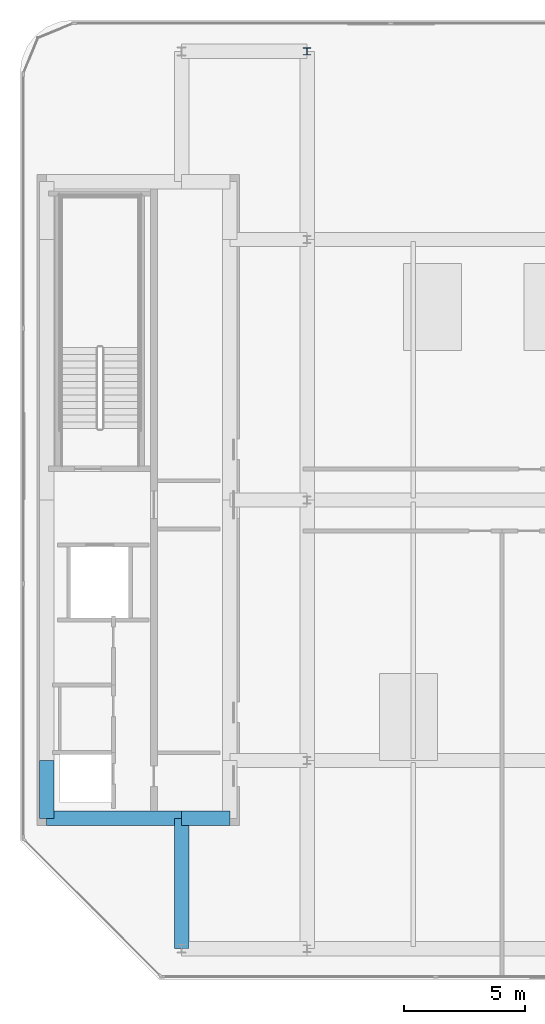
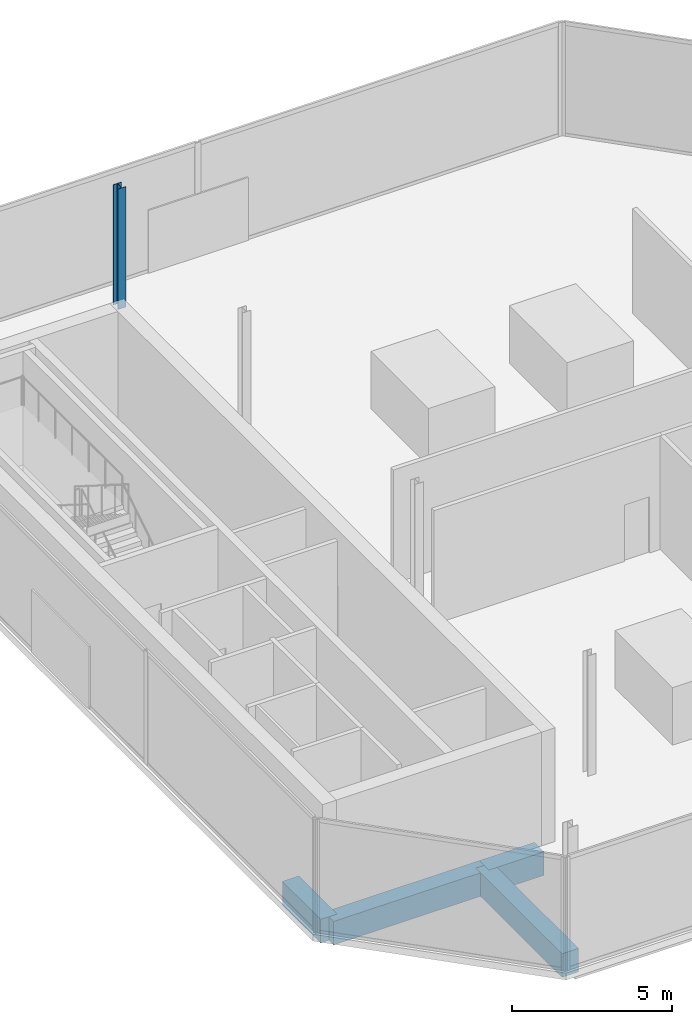
# One storey, part 3 of 15: 4 beams, 1 column.
"""IFC4 building model written with IfcOpenShell, lengths in metres."""

from ifc_helpers import new_model, si_unit, direction, frame, origin, origin_2d, place, context, subcontext, project, spatial, rectangle, i_section, extrude, material, material_profile, profile_set, type_object, element, save


model = new_model("IFC4")

# Units and contexts
model_context = context("Model", 3, precision=1e-05, world=origin(), true_north=direction((0.0, 1.0)))
body_context = subcontext(model_context, "Body", "Model", "MODEL_VIEW")
ifc_project = project(units=[si_unit("LENGTHUNIT", "METRE"), si_unit("AREAUNIT", "SQUARE_METRE"), si_unit("VOLUMEUNIT", "CUBIC_METRE"), si_unit("PLANEANGLEUNIT", "RADIAN"), si_unit("MASSUNIT", "GRAM", prefix="KILO")], contexts=[model_context])

# Site, building, storey
site_placement = place(None, origin())
site = spatial("IfcSite", under=ifc_project, at=site_placement, CompositionType="ELEMENT")
building_placement = place(site_placement, origin())
building = spatial("IfcBuilding", under=site, at=building_placement, Name="Khairoan Windgate Tower", CompositionType="ELEMENT")
storey_placement = place(building_placement, frame((0.0, 0.0, 330.39990234375)))
storey = spatial("IfcBuildingStorey", under=building, at=storey_placement, Name="L79", CompositionType="ELEMENT", Elevation=330.39990234375)

# Column
ifc_material_1 = material(Name="Steel S355", Category="steel")
ifc_material_profile_1 = material_profile(ifc_material_1, i_section(OverallWidth=0.300048828125, OverallDepth=0.300048828125, WebThickness=0.010009765625, FlangeThickness=0.014892578125, FilletRadius=0.01806640625, at=origin_2d()))
ifc_profile_set_1 = profile_set([ifc_material_profile_1], Name="Steel S355")
column_type = type_object("IfcColumnType", Name="Steel Column SC6 H300x300x10x15", PredefinedType="COLUMN", material=ifc_profile_set_1)
column_placement = place(storey_placement, frame((-9.199951171875, 18.60009765625, 0.0), z_axis=(0.0, 0.0, 1.0), x_axis=(1.0, 0.0, 0.0)))
element("IfcColumn", 1, at=column_placement, inside=storey, type_object=column_type, Name="Column L79-05", PredefinedType="COLUMN", context=body_context, shape_type="SweptSolid", body=[
    extrude(i_section(OverallWidth=0.300048828125, OverallDepth=0.300048828125, WebThickness=0.010009765625, FlangeThickness=0.014892578125, FilletRadius=0.01806640625, at=origin_2d()), origin(), (0.0, 0.0, 1.0), 4.60009765625),
])

# Beams
ifc_material_2 = material(Name="Concrete C50/60", Category="concrete")
ifc_material_profile_2 = material_profile(ifc_material_2, rectangle(XDim=0.60009765625, YDim=0.89990234375, at=origin_2d()))
ifc_profile_set_2 = profile_set([ifc_material_profile_2], Name="Concrete C50/60")
beam_type = type_object("IfcBeamType", Name="Beam B-RC1 RC600x900", PredefinedType="BEAM", material=ifc_profile_set_2)
beam_1_placement = place(storey_placement, frame((-20.0, -13.199951171875, -0.7099609375), z_axis=(1.0, 0.0, 0.0), x_axis=(0.0, 1.0, 0.0)))
element("IfcBeam", 2, at=beam_1_placement, inside=storey, type_object=beam_type, Name="L79 E-W Primary Girder 04", PredefinedType="BEAM", context=body_context, shape_type="SweptSolid", body=[
    extrude(rectangle(XDim=0.60009765625, YDim=0.89990234375, at=origin_2d()), origin(), (0.0, 0.0, 1.0), 5.60009765625),
])
beam_2_placement = place(storey_placement, frame((-14.39990234375, -13.199951171875, -0.7099609375), z_axis=(1.0, 0.0, 0.0), x_axis=(0.0, 1.0, 0.0)))
element("IfcBeam", 3, at=beam_2_placement, inside=storey, type_object=beam_type, Name="L79 E-W Primary Girder 05", PredefinedType="BEAM", context=body_context, shape_type="SweptSolid", body=[
    extrude(rectangle(XDim=0.60009765625, YDim=0.89990234375, at=origin_2d()), origin(), (0.0, 0.0, 1.0), 2.0),
])
beam_3_placement = place(storey_placement, frame((-20.0, -13.199951171875, -0.7099609375), z_axis=(0.0, 1.0, 0.0), x_axis=(-1.0, 0.0, 0.0)))
element("IfcBeam", 4, at=beam_3_placement, inside=storey, type_object=beam_type, Name="L79 N-S Primary Beam 19", PredefinedType="BEAM", context=body_context, shape_type="SweptSolid", body=[
    extrude(rectangle(XDim=0.60009765625, YDim=0.89990234375, at=origin_2d()), origin(), (0.0, 0.0, 1.0), 2.39990234375),
])
beam_4_placement = place(storey_placement, frame((-14.39990234375, -18.60009765625, -0.7099609375), z_axis=(0.0, 1.0, 0.0), x_axis=(-1.0, 0.0, 0.0)))
element("IfcBeam", 5, at=beam_4_placement, inside=storey, type_object=beam_type, Name="L79 N-S Primary Beam 23", PredefinedType="BEAM", context=body_context, shape_type="SweptSolid", body=[
    extrude(rectangle(XDim=0.60009765625, YDim=0.89990234375, at=origin_2d()), origin(), (0.0, 0.0, 1.0), 5.400146484375),
])

save(model, "model.ifc")
